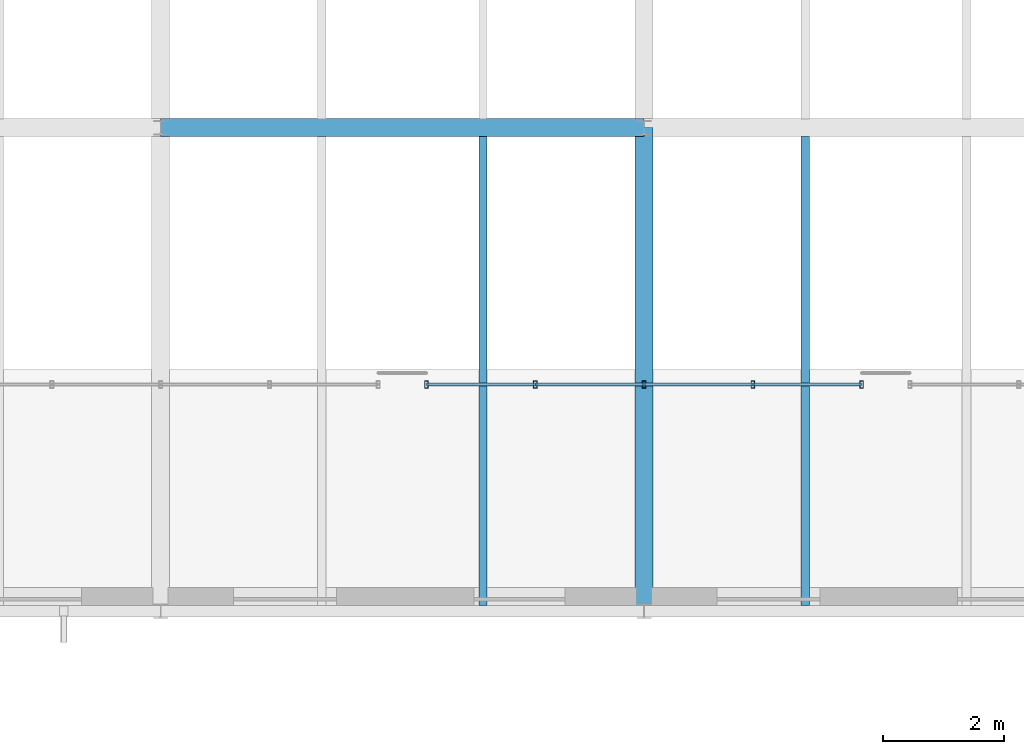
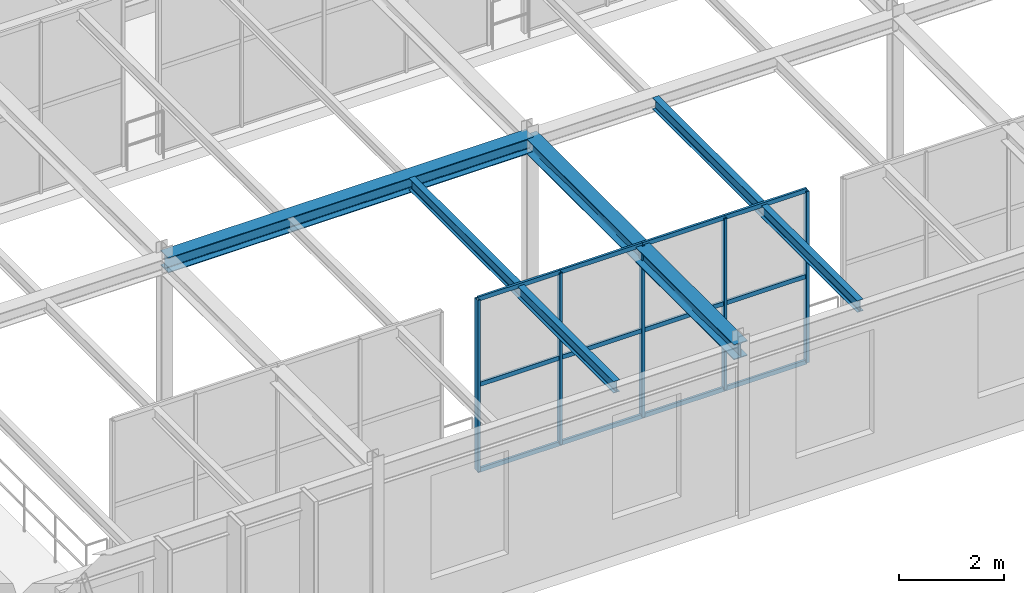
# One storey, part 55 of 124: 17 members, 4 beams, 1 element without a shape of its own.
"""IFC4 building model written with IfcOpenShell, lengths in metres."""

from ifc_helpers import new_model, si_unit, direction, frame, origin, origin_2d, place, context, subcontext, project, spatial, hollow_rectangle, i_section, extrude, material, material_profile, profile_set, type_object, element, aggregate, save


model = new_model("IFC4")

# Units and contexts
model_context = context("Model", 3, precision=1e-05, world=origin(), true_north=direction((0.0, 1.0)))
body_context = subcontext(model_context, "Body", "Model", "MODEL_VIEW")
ifc_project = project(units=[si_unit("LENGTHUNIT", "METRE"), si_unit("AREAUNIT", "SQUARE_METRE"), si_unit("VOLUMEUNIT", "CUBIC_METRE"), si_unit("PLANEANGLEUNIT", "RADIAN"), si_unit("MASSUNIT", "GRAM", prefix="KILO")], contexts=[model_context])

# Site, building, storey
site_placement = place(None, origin())
site = spatial("IfcSite", under=ifc_project, at=site_placement, CompositionType="ELEMENT")
building_placement = place(site_placement, origin())
building = spatial("IfcBuilding", under=site, at=building_placement, Name="Sundkrona Museum", CompositionType="ELEMENT")
storey_placement = place(building_placement, frame((0.0, 0.0, 17.60009765625)))
storey = spatial("IfcBuildingStorey", under=building, at=storey_placement, Name="L03", CompositionType="ELEMENT", Elevation=17.60009765625)

# Beams
ifc_material_1 = material(Name="Steel S355J2", Category="steel")
ifc_material_profile_1 = material_profile(ifc_material_1, i_section(OverallWidth=0.300048828125, OverallDepth=0.35009765625, WebThickness=0.010009765625, FlangeThickness=0.017578125, FilletRadius=0.027099609375, at=origin_2d()), Name="HEA 360")
ifc_profile_set_1 = profile_set([ifc_material_profile_1], Name="Steel S355J2")
beam_type_1 = type_object("IfcBeamType", Name="B-HEA360", PredefinedType="BEAM", material=ifc_profile_set_1)
for number, where, z_axis, x_axis, name in (
    (1, (24.0, 86.0, 3.784912109375), (1.0, 0.0, 0.0), (0.0, 1.0, 0.0), "L03 Girder X-1499"),
    (2, (32.0, 78.0, 3.784912109375), (0.0, 1.0, 0.0), (-1.0, 0.0, 0.0), "L03 Girder Y-1569"),
):
    element("IfcBeam", number, at=place(storey_placement, frame(where, z_axis=z_axis, x_axis=x_axis)), inside=storey, type_object=beam_type_1, Name=name, PredefinedType="BEAM", context=body_context, shape_type="SweptSolid", body=[
        extrude(i_section(OverallWidth=0.300048828125, OverallDepth=0.35009765625, WebThickness=0.010009765625, FlangeThickness=0.017578125, FilletRadius=0.027099609375, at=origin_2d()), origin(), (0.0, 0.0, 1.0), 8.0),
    ])
ifc_material_profile_2 = material_profile(ifc_material_1, i_section(OverallWidth=0.135009765625, OverallDepth=0.27001953125, WebThickness=0.006591796875, FlangeThickness=0.01025390625, FilletRadius=0.014892578125, at=origin_2d()), Name="IPE 270")
ifc_profile_set_2 = profile_set([ifc_material_profile_2], Name="Steel S355J2")
beam_type_2 = type_object("IfcBeamType", Name="J-IPE270", PredefinedType="JOIST", material=ifc_profile_set_2)
for number, where, z_axis, x_axis, name in (
    (3, (29.333251953125, 78.089111328125, 3.824951171875), (0.0, 1.0, 0.0), (-1.0, 0.0, 0.0), "L03 Composite Joist 0983"),
    (4, (34.666748046875, 78.089111328125, 3.824951171875), (0.0, 1.0, 0.0), (-1.0, 0.0, 0.0), "L03 Composite Joist 0994"),
):
    element("IfcBeam", number, at=place(storey_placement, frame(where, z_axis=z_axis, x_axis=x_axis)), inside=storey, type_object=beam_type_2, Name=name, PredefinedType="JOIST", context=body_context, shape_type="SweptSolid", body=[
        extrude(i_section(OverallWidth=0.135009765625, OverallDepth=0.27001953125, WebThickness=0.006591796875, FlangeThickness=0.01025390625, FilletRadius=0.014892578125, at=origin_2d()), origin(), (0.0, 0.0, 1.0), 7.766845703125),
    ])

# Curtain wall, members
ifc_material_2 = material(Name="Unitised Aluminium-Steel and Ceramic-Clad Curtain Walling", Category="steel")
curtain_wall_type = type_object("IfcCurtainWallType", Name="CW-CL-64x38", PredefinedType="NOTDEFINED", material=ifc_material_2)
curtain_wall_placement = place(storey_placement, origin())
curtain_wall = element("IfcCurtainWall", 5, at=curtain_wall_placement, inside=storey, type_object=curtain_wall_type, Name="L03 Curtain Wall CW-L03-138", PredefinedType="NOTDEFINED")
ifc_material_3 = material(Name="Aluminium EN AW-6060 T66", Category="aluminium")
ifc_material_profile_3 = material_profile(ifc_material_3, hollow_rectangle(XDim=0.06005859375, YDim=0.1201171875, WallThickness=0.0048828125, at=origin_2d()), Name="RHS 120x60x5.0")
ifc_profile_set_3 = profile_set([ifc_material_profile_3], Name="Aluminium EN AW-6060 T66")
member_type_1 = type_object("IfcMemberType", Name="ML-120", PredefinedType="MULLION", material=ifc_profile_set_3)
member_1_placement = place(storey_placement, frame((28.39990234375, 81.75, -0.004150390625), z_axis=(0.0, 0.0, 1.0), x_axis=(1.0, 0.0, 0.0)))
member_1 = element("IfcMember", 6, at=member_1_placement, type_object=member_type_1, Name="CW-L03-138 Mullion 01", PredefinedType="MULLION", context=body_context, shape_type="SweptSolid", body=[
    extrude(hollow_rectangle(XDim=0.06005859375, YDim=0.1201171875, WallThickness=0.0048828125, at=origin_2d()), origin(), (0.0, 0.0, 1.0), 3.968017578125),
])
member_2_placement = place(storey_placement, frame((30.199951171875, 81.75, -0.004150390625), z_axis=(0.0, 0.0, 1.0), x_axis=(1.0, 0.0, 0.0)))
member_2 = element("IfcMember", 7, at=member_2_placement, type_object=member_type_1, Name="CW-L03-138 Mullion 02", PredefinedType="MULLION", context=body_context, shape_type="SweptSolid", body=[
    extrude(hollow_rectangle(XDim=0.06005859375, YDim=0.1201171875, WallThickness=0.0048828125, at=origin_2d()), origin(), (0.0, 0.0, 1.0), 3.968017578125),
])
member_3_placement = place(storey_placement, frame((32.0, 81.75, -0.004150390625), z_axis=(0.0, 0.0, 1.0), x_axis=(1.0, 0.0, 0.0)))
member_3 = element("IfcMember", 8, at=member_3_placement, type_object=member_type_1, Name="CW-L03-138 Mullion 03", PredefinedType="MULLION", context=body_context, shape_type="SweptSolid", body=[
    extrude(hollow_rectangle(XDim=0.06005859375, YDim=0.1201171875, WallThickness=0.0048828125, at=origin_2d()), origin(), (0.0, 0.0, 1.0), 3.968017578125),
])
member_4_placement = place(storey_placement, frame((33.800048828125, 81.75, -0.004150390625), z_axis=(0.0, 0.0, 1.0), x_axis=(1.0, 0.0, 0.0)))
member_4 = element("IfcMember", 9, at=member_4_placement, type_object=member_type_1, Name="CW-L03-138 Mullion 04", PredefinedType="MULLION", context=body_context, shape_type="SweptSolid", body=[
    extrude(hollow_rectangle(XDim=0.06005859375, YDim=0.1201171875, WallThickness=0.0048828125, at=origin_2d()), origin(), (0.0, 0.0, 1.0), 3.968017578125),
])
member_5_placement = place(storey_placement, frame((35.60009765625, 81.75, -0.004150390625), z_axis=(0.0, 0.0, 1.0), x_axis=(1.0, 0.0, 0.0)))
member_5 = element("IfcMember", 10, at=member_5_placement, type_object=member_type_1, Name="CW-L03-138 Mullion 05", PredefinedType="MULLION", context=body_context, shape_type="SweptSolid", body=[
    extrude(hollow_rectangle(XDim=0.06005859375, YDim=0.1201171875, WallThickness=0.0048828125, at=origin_2d()), origin(), (0.0, 0.0, 1.0), 3.968017578125),
])
ifc_material_profile_4 = material_profile(ifc_material_3, hollow_rectangle(XDim=0.050048828125, YDim=0.10009765625, WallThickness=0.0048828125, at=origin_2d()), Name="RHS 100x50x5.0")
ifc_profile_set_4 = profile_set([ifc_material_profile_4], Name="Aluminium EN AW-6060 T66")
member_type_2 = type_object("IfcMemberType", Name="TR-100", PredefinedType="USERDEFINED", material=ifc_profile_set_4)
member_6_placement = place(storey_placement, frame((28.39990234375, 81.75, -0.004150390625), z_axis=(1.0, 0.0, 0.0), x_axis=(0.0, 1.0, 0.0)))
member_6 = element("IfcMember", 11, at=member_6_placement, type_object=member_type_2, Name="CW-L03-138 Transom 01", ObjectType="TRANSOM", PredefinedType="USERDEFINED", context=body_context, shape_type="SweptSolid", body=[
    extrude(hollow_rectangle(XDim=0.050048828125, YDim=0.10009765625, WallThickness=0.0048828125, at=origin_2d()), origin(), (0.0, 0.0, 1.0), 1.800048828125),
])
member_7_placement = place(storey_placement, frame((28.39990234375, 81.75, 1.97998046875), z_axis=(1.0, 0.0, 0.0), x_axis=(0.0, 1.0, 0.0)))
member_7 = element("IfcMember", 12, at=member_7_placement, type_object=member_type_2, Name="CW-L03-138 Transom 02", ObjectType="TRANSOM", PredefinedType="USERDEFINED", context=body_context, shape_type="SweptSolid", body=[
    extrude(hollow_rectangle(XDim=0.050048828125, YDim=0.10009765625, WallThickness=0.0048828125, at=origin_2d()), origin(), (0.0, 0.0, 1.0), 1.800048828125),
])
member_8_placement = place(storey_placement, frame((28.39990234375, 81.75, 3.9638671875), z_axis=(1.0, 0.0, 0.0), x_axis=(0.0, 1.0, 0.0)))
member_8 = element("IfcMember", 13, at=member_8_placement, type_object=member_type_2, Name="CW-L03-138 Transom 03", ObjectType="TRANSOM", PredefinedType="USERDEFINED", context=body_context, shape_type="SweptSolid", body=[
    extrude(hollow_rectangle(XDim=0.050048828125, YDim=0.10009765625, WallThickness=0.0048828125, at=origin_2d()), origin(), (0.0, 0.0, 1.0), 1.800048828125),
])
member_9_placement = place(storey_placement, frame((30.199951171875, 81.75, -0.004150390625), z_axis=(1.0, 0.0, 0.0), x_axis=(0.0, 1.0, 0.0)))
member_9 = element("IfcMember", 14, at=member_9_placement, type_object=member_type_2, Name="CW-L03-138 Transom 04", ObjectType="TRANSOM", PredefinedType="USERDEFINED", context=body_context, shape_type="SweptSolid", body=[
    extrude(hollow_rectangle(XDim=0.050048828125, YDim=0.10009765625, WallThickness=0.0048828125, at=origin_2d()), origin(), (0.0, 0.0, 1.0), 1.800048828125),
])
member_10_placement = place(storey_placement, frame((30.199951171875, 81.75, 1.97998046875), z_axis=(1.0, 0.0, 0.0), x_axis=(0.0, 1.0, 0.0)))
member_10 = element("IfcMember", 15, at=member_10_placement, type_object=member_type_2, Name="CW-L03-138 Transom 05", ObjectType="TRANSOM", PredefinedType="USERDEFINED", context=body_context, shape_type="SweptSolid", body=[
    extrude(hollow_rectangle(XDim=0.050048828125, YDim=0.10009765625, WallThickness=0.0048828125, at=origin_2d()), origin(), (0.0, 0.0, 1.0), 1.800048828125),
])
member_11_placement = place(storey_placement, frame((30.199951171875, 81.75, 3.9638671875), z_axis=(1.0, 0.0, 0.0), x_axis=(0.0, 1.0, 0.0)))
member_11 = element("IfcMember", 16, at=member_11_placement, type_object=member_type_2, Name="CW-L03-138 Transom 06", ObjectType="TRANSOM", PredefinedType="USERDEFINED", context=body_context, shape_type="SweptSolid", body=[
    extrude(hollow_rectangle(XDim=0.050048828125, YDim=0.10009765625, WallThickness=0.0048828125, at=origin_2d()), origin(), (0.0, 0.0, 1.0), 1.800048828125),
])
member_12_placement = place(storey_placement, frame((32.0, 81.75, -0.004150390625), z_axis=(1.0, 0.0, 0.0), x_axis=(0.0, 1.0, 0.0)))
member_12 = element("IfcMember", 17, at=member_12_placement, type_object=member_type_2, Name="CW-L03-138 Transom 07", ObjectType="TRANSOM", PredefinedType="USERDEFINED", context=body_context, shape_type="SweptSolid", body=[
    extrude(hollow_rectangle(XDim=0.050048828125, YDim=0.10009765625, WallThickness=0.0048828125, at=origin_2d()), origin(), (0.0, 0.0, 1.0), 1.800048828125),
])
member_13_placement = place(storey_placement, frame((32.0, 81.75, 1.97998046875), z_axis=(1.0, 0.0, 0.0), x_axis=(0.0, 1.0, 0.0)))
member_13 = element("IfcMember", 18, at=member_13_placement, type_object=member_type_2, Name="CW-L03-138 Transom 08", ObjectType="TRANSOM", PredefinedType="USERDEFINED", context=body_context, shape_type="SweptSolid", body=[
    extrude(hollow_rectangle(XDim=0.050048828125, YDim=0.10009765625, WallThickness=0.0048828125, at=origin_2d()), origin(), (0.0, 0.0, 1.0), 1.800048828125),
])
member_14_placement = place(storey_placement, frame((32.0, 81.75, 3.9638671875), z_axis=(1.0, 0.0, 0.0), x_axis=(0.0, 1.0, 0.0)))
member_14 = element("IfcMember", 19, at=member_14_placement, type_object=member_type_2, Name="CW-L03-138 Transom 09", ObjectType="TRANSOM", PredefinedType="USERDEFINED", context=body_context, shape_type="SweptSolid", body=[
    extrude(hollow_rectangle(XDim=0.050048828125, YDim=0.10009765625, WallThickness=0.0048828125, at=origin_2d()), origin(), (0.0, 0.0, 1.0), 1.800048828125),
])
member_15_placement = place(storey_placement, frame((33.800048828125, 81.75, -0.004150390625), z_axis=(1.0, 0.0, 0.0), x_axis=(0.0, 1.0, 0.0)))
member_15 = element("IfcMember", 20, at=member_15_placement, type_object=member_type_2, Name="CW-L03-138 Transom 10", ObjectType="TRANSOM", PredefinedType="USERDEFINED", context=body_context, shape_type="SweptSolid", body=[
    extrude(hollow_rectangle(XDim=0.050048828125, YDim=0.10009765625, WallThickness=0.0048828125, at=origin_2d()), origin(), (0.0, 0.0, 1.0), 1.800048828125),
])
member_16_placement = place(storey_placement, frame((33.800048828125, 81.75, 1.97998046875), z_axis=(1.0, 0.0, 0.0), x_axis=(0.0, 1.0, 0.0)))
member_16 = element("IfcMember", 21, at=member_16_placement, type_object=member_type_2, Name="CW-L03-138 Transom 11", ObjectType="TRANSOM", PredefinedType="USERDEFINED", context=body_context, shape_type="SweptSolid", body=[
    extrude(hollow_rectangle(XDim=0.050048828125, YDim=0.10009765625, WallThickness=0.0048828125, at=origin_2d()), origin(), (0.0, 0.0, 1.0), 1.800048828125),
])
member_17_placement = place(storey_placement, frame((33.800048828125, 81.75, 3.9638671875), z_axis=(1.0, 0.0, 0.0), x_axis=(0.0, 1.0, 0.0)))
member_17 = element("IfcMember", 22, at=member_17_placement, type_object=member_type_2, Name="CW-L03-138 Transom 12", ObjectType="TRANSOM", PredefinedType="USERDEFINED", context=body_context, shape_type="SweptSolid", body=[
    extrude(hollow_rectangle(XDim=0.050048828125, YDim=0.10009765625, WallThickness=0.0048828125, at=origin_2d()), origin(), (0.0, 0.0, 1.0), 1.800048828125),
])
aggregate(curtain_wall, [member_1, member_2, member_3, member_4, member_5, member_6, member_7, member_8, member_9, member_10, member_11, member_12, member_13, member_14, member_15, member_16, member_17])

save(model, "model.ifc")
